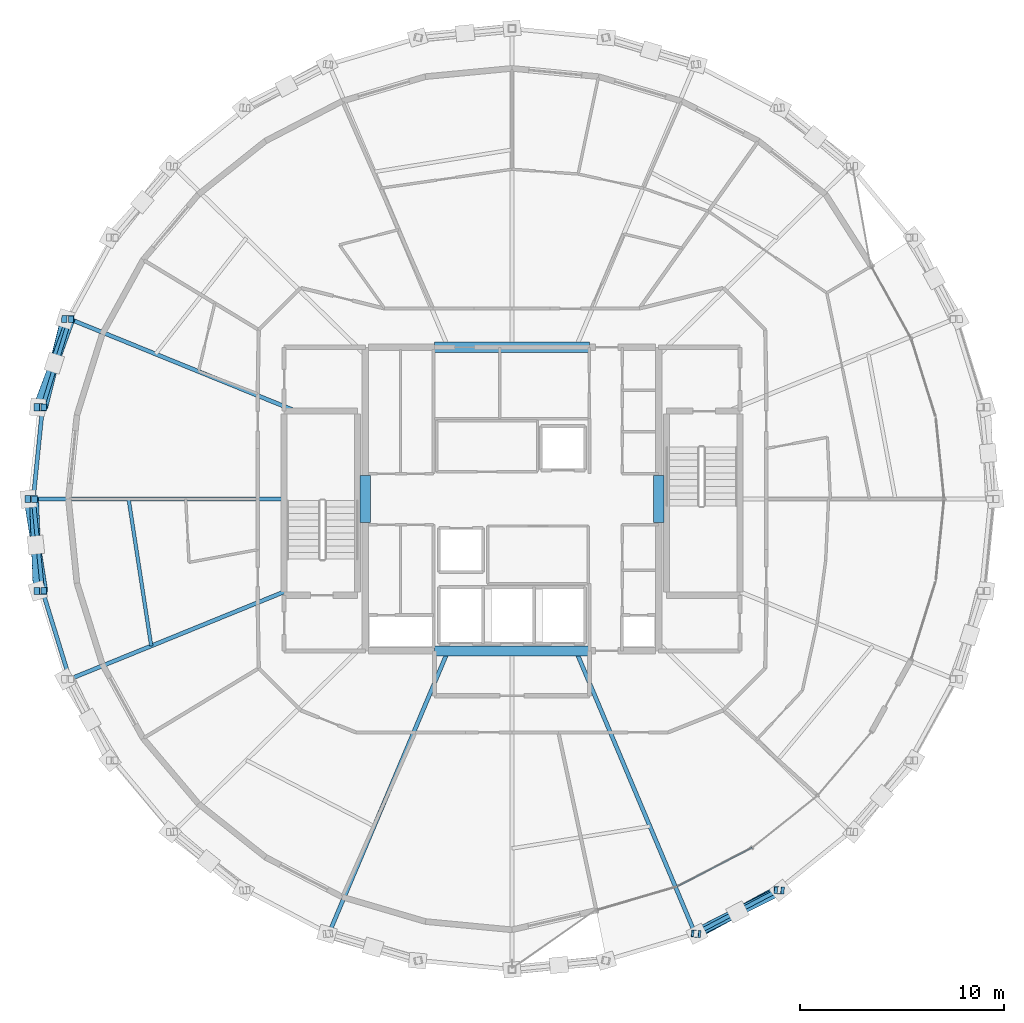
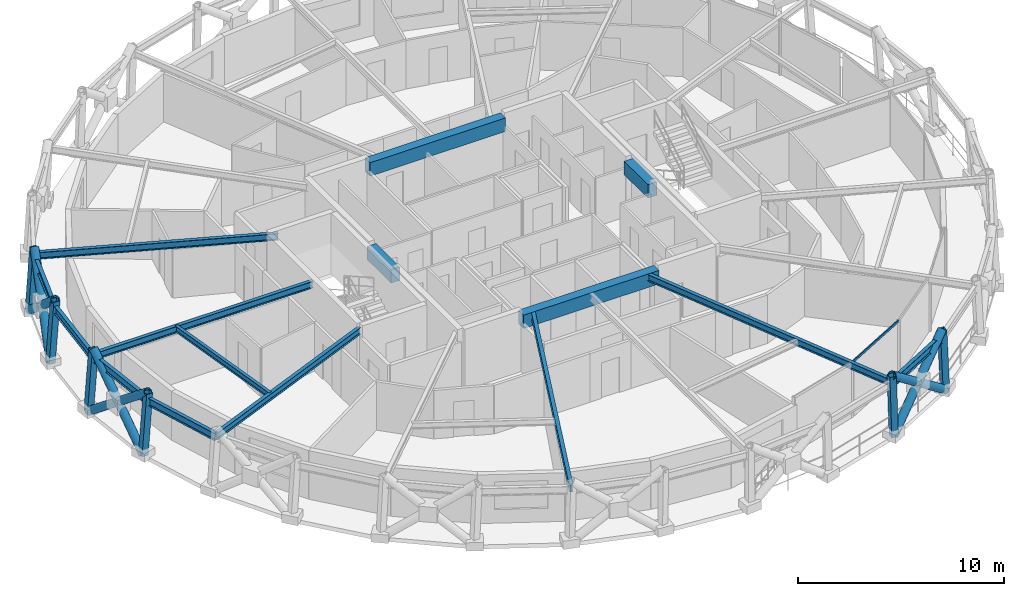
# One storey, part 3 of 16: 16 members, 15 beams, 1 element without a shape of its own.
"""IFC4 building model written with IfcOpenShell, lengths in metres."""

from ifc_helpers import new_model, si_unit, direction, frame, origin, origin_2d, place, context, subcontext, project, spatial, rectangle, hollow_rectangle, hollow_circle, i_section, extrude, material, layer, layer_set, material_profile, profile_set, type_object, element, aggregate, save


model = new_model("IFC4")

# Units and contexts
model_context = context("Model", 3, precision=1e-05, world=origin(), true_north=direction((0.0, 1.0)))
body_context = subcontext(model_context, "Body", "Model", "MODEL_VIEW")
ifc_project = project(units=[si_unit("LENGTHUNIT", "METRE"), si_unit("AREAUNIT", "SQUARE_METRE"), si_unit("VOLUMEUNIT", "CUBIC_METRE"), si_unit("PLANEANGLEUNIT", "RADIAN"), si_unit("MASSUNIT", "GRAM", prefix="KILO")], contexts=[model_context])

# Site, building, storey
site_placement = place(None, origin())
site = spatial("IfcSite", under=ifc_project, at=site_placement, CompositionType="ELEMENT")
building_placement = place(site_placement, origin())
building = spatial("IfcBuilding", under=site, at=building_placement, Name="Veldorina Hangang Commons", CompositionType="ELEMENT")
storey_placement = place(building_placement, frame((0.0, 0.0, 240.0)))
storey = spatial("IfcBuildingStorey", under=building, at=storey_placement, Name="L62", CompositionType="ELEMENT", Elevation=240.0)

# Beams
ifc_material_1 = material(Name="Concrete C50/60", Category="concrete")
ifc_material_profile_1 = material_profile(ifc_material_1, rectangle(XDim=0.5, YDim=0.800048828125, at=origin_2d()), Name="RC-CB-500x800")
ifc_profile_set_1 = profile_set([ifc_material_profile_1], Name="Concrete C50/60")
beam_type_1 = type_object("IfcBeamType", Name="BM-CB800", PredefinedType="LINTEL", material=ifc_profile_set_1)
for number, where, z_axis, x_axis, name in (
    (1, (24.800048828125, 22.85009765625, 2.9599609375), (0.0, 1.0, 0.0), (-1.0, 0.0, 0.0), "L62 W core coupling lintel beam"),
    (2, (39.199951171875, 22.85009765625, 2.9599609375), (0.0, 1.0, 0.0), (-1.0, 0.0, 0.0), "L62 E core coupling lintel beam"),
):
    element("IfcBeam", number, at=place(storey_placement, frame(where, z_axis=z_axis, x_axis=x_axis)), inside=storey, type_object=beam_type_1, Name=name, PredefinedType="LINTEL", context=body_context, shape_type="SweptSolid", body=[
        extrude(rectangle(XDim=0.5, YDim=0.800048828125, at=origin_2d()), origin(), (0.0, 0.0, 1.0), 2.2998046875),
    ])
for number, where, z_axis, x_axis, name in (
    (3, (28.199951171875, 16.550048828125, 2.9599609375), (1.0, 0.0, 0.0), (0.0, 1.0, 0.0), "L62 south core coupling beam"),
    (4, (28.199951171875, 31.449951171875, 2.9599609375), (1.0, 0.0, 0.0), (0.0, 1.0, 0.0), "L62 north core coupling beam"),
):
    element("IfcBeam", number, at=place(storey_placement, frame(where, z_axis=z_axis, x_axis=x_axis)), inside=storey, type_object=beam_type_1, Name=name, PredefinedType="LINTEL", context=body_context, shape_type="SweptSolid", body=[
        extrude(rectangle(XDim=0.5, YDim=0.800048828125, at=origin_2d()), origin(), (0.0, 0.0, 1.0), 7.60009765625),
    ])
ifc_material_2 = material(Name="Steel SM355-TMC", Category="steel")
ifc_material_profile_2 = material_profile(ifc_material_2, i_section(OverallWidth=0.199951171875, OverallDepth=0.39990234375, WebThickness=0.008056640625, FlangeThickness=0.012939453125, FilletRadius=0.012939453125, at=origin_2d()), Name="H-400x200x8x13")
ifc_profile_set_2 = profile_set([ifc_material_profile_2], Name="Steel SM355-TMC")
beam_type_2 = type_object("IfcBeamType", Name="BM-FG400", PredefinedType="BEAM", material=ifc_profile_set_2)
beam_1_placement = place(storey_placement, frame((21.3876953125, 28.320068359375, 3.159912109375), z_axis=(-0.926207911003, 0.377013137167, 0.0), x_axis=(-0.377013137167, -0.926207911003, 0.0)))
element("IfcBeam", 5, at=beam_1_placement, inside=storey, type_object=beam_type_2, Name="L62 radial floor girder 08", PredefinedType="BEAM", context=body_context, shape_type="SweptSolid", body=[
    extrude(i_section(OverallWidth=0.199951171875, OverallDepth=0.39990234375, WebThickness=0.008056640625, FlangeThickness=0.012939453125, FilletRadius=0.012939453125, at=origin_2d()), origin(), (0.0, 0.0, 1.0), 11.971435546875),
])
beam_2_placement = place(storey_placement, frame((20.820068359375, 24.0, 3.159912109375), z_axis=(-1.0, 0.0, 0.0), x_axis=(0.0, -1.0, 0.0)))
element("IfcBeam", 6, at=beam_2_placement, inside=storey, type_object=beam_type_2, Name="L62 radial floor girder 09", PredefinedType="BEAM", context=body_context, shape_type="SweptSolid", body=[
    extrude(i_section(OverallWidth=0.199951171875, OverallDepth=0.39990234375, WebThickness=0.008056640625, FlangeThickness=0.012939453125, FilletRadius=0.012939453125, at=origin_2d()), origin(), (0.0, 0.0, 1.0), 12.308349609375),
])
beam_3_placement = place(storey_placement, frame((20.820068359375, 19.448974609375, 3.159912109375), z_axis=(-0.926204970576, -0.37702036083, 0.0), x_axis=(0.37702036083, -0.926204970576, 0.0)))
element("IfcBeam", 7, at=beam_3_placement, inside=storey, type_object=beam_type_2, Name="L62 radial floor girder 10", PredefinedType="BEAM", context=body_context, shape_type="SweptSolid", body=[
    extrude(i_section(OverallWidth=0.199951171875, OverallDepth=0.39990234375, WebThickness=0.008056640625, FlangeThickness=0.012939453125, FilletRadius=0.012939453125, at=origin_2d()), origin(), (0.0, 0.0, 1.0), 11.358642578125),
])
for number, where, z_axis, x_axis, name in (
    (8, (28.860107421875, 16.550048828125, 3.159912109375), (-0.38839618575, -0.921492486619, 0.0), (0.921492486619, -0.38839618575, 0.0), "L62 radial floor girder 12"),
    (9, (35.139892578125, 16.550048828125, 3.159912109375), (0.38839618575, -0.921492486619, 0.0), (0.921492486619, 0.38839618575, 0.0), "L62 radial floor girder 14"),
):
    element("IfcBeam", number, at=place(storey_placement, frame(where, z_axis=z_axis, x_axis=x_axis)), inside=storey, type_object=beam_type_2, Name=name, PredefinedType="BEAM", context=body_context, shape_type="SweptSolid", body=[
        extrude(i_section(OverallWidth=0.199951171875, OverallDepth=0.39990234375, WebThickness=0.008056640625, FlangeThickness=0.012939453125, FilletRadius=0.012939453125, at=origin_2d()), origin(), (0.0, 0.0, 1.0), 15.058349609375),
    ])
ifc_material_profile_3 = material_profile(ifc_material_2, i_section(OverallWidth=0.175048828125, OverallDepth=0.35009765625, WebThickness=0.007080078125, FlangeThickness=0.010986328125, FilletRadius=0.012939453125, at=origin_2d()), Name="H-350x175x7x11")
ifc_profile_set_3 = profile_set([ifc_material_profile_3], Name="Steel SM355-TMC")
beam_type_3 = type_object("IfcBeamType", Name="BM-JST350", PredefinedType="JOIST", material=ifc_profile_set_3)
beam_4_placement = place(storey_placement, frame((13.188720703125, 24.0, 3.18505859375), z_axis=(0.152054668051, -0.988372084755, 0.0), x_axis=(0.988372084755, 0.152054668051, 0.0)))
element("IfcBeam", 10, at=beam_4_placement, inside=storey, type_object=beam_type_3, Name="L62 secondary floor joist 09", PredefinedType="JOIST", context=body_context, shape_type="SweptSolid", body=[
    extrude(i_section(OverallWidth=0.175048828125, OverallDepth=0.35009765625, WebThickness=0.007080078125, FlangeThickness=0.010986328125, FilletRadius=0.012939453125, at=origin_2d()), origin(), (0.0, 0.0, 1.0), 7.291015625),
])
ifc_material_profile_4 = material_profile(ifc_material_2, i_section(OverallWidth=0.199951171875, OverallDepth=0.449951171875, WebThickness=0.009033203125, FlangeThickness=0.013916015625, FilletRadius=0.01611328125, at=origin_2d()), Name="H-450x200x9x14")
ifc_profile_set_4 = profile_set([ifc_material_profile_4], Name="Steel SM355-TMC")
beam_type_4 = type_object("IfcBeamType", Name="BM-RB450", PredefinedType="BEAM", material=ifc_profile_set_4)
beam_5_placement = place(storey_placement, frame((10.299560546875, 32.83349609375, 3.135009765625), z_axis=(-0.294960232046, -0.955509529786, 0.0), x_axis=(0.955509529786, -0.294960232046, 0.0)))
element("IfcBeam", 11, at=beam_5_placement, inside=storey, type_object=beam_type_4, Name="L62 perimeter hoop ring beam 14", PredefinedType="BEAM", context=body_context, shape_type="SweptSolid", body=[
    extrude(i_section(OverallWidth=0.199951171875, OverallDepth=0.449951171875, WebThickness=0.009033203125, FlangeThickness=0.013916015625, FilletRadius=0.01611328125, at=origin_2d()), origin(), (0.0, 0.0, 1.0), 4.53173828125),
])
for number, where, z_axis, x_axis, name in (
    (12, (8.962890625, 28.50341796875, 3.135009765625), (-0.099685305186, -0.995019014859, 0.0), (0.995019014859, -0.099685305186, 0.0), "L62 perimeter hoop ring beam 15"),
    (13, (8.51171875, 24.0, 3.135009765625), (0.099685305186, -0.995019014859, 0.0), (0.995019014859, 0.099685305186, 0.0), "L62 perimeter hoop ring beam 16"),
):
    element("IfcBeam", number, at=place(storey_placement, frame(where, z_axis=z_axis, x_axis=x_axis)), inside=storey, type_object=beam_type_4, Name=name, PredefinedType="BEAM", context=body_context, shape_type="SweptSolid", body=[
        extrude(i_section(OverallWidth=0.199951171875, OverallDepth=0.449951171875, WebThickness=0.009033203125, FlangeThickness=0.013916015625, FilletRadius=0.01611328125, at=origin_2d()), origin(), (0.0, 0.0, 1.0), 4.52587890625),
    ])
beam_6_placement = place(storey_placement, frame((8.962890625, 19.49658203125, 3.135009765625), z_axis=(0.294960232046, -0.955509529786, 0.0), x_axis=(0.955509529786, 0.294960232046, 0.0)))
element("IfcBeam", 14, at=beam_6_placement, inside=storey, type_object=beam_type_4, Name="L62 perimeter hoop ring beam 17", PredefinedType="BEAM", context=body_context, shape_type="SweptSolid", body=[
    extrude(i_section(OverallWidth=0.199951171875, OverallDepth=0.449951171875, WebThickness=0.009033203125, FlangeThickness=0.013916015625, FilletRadius=0.01611328125, at=origin_2d()), origin(), (0.0, 0.0, 1.0), 4.53173828125),
])
beam_7_placement = place(storey_placement, frame((40.988525390625, 2.673828125, 3.135009765625), z_axis=(0.885295472957, 0.465028951315, 0.0), x_axis=(-0.465028951315, 0.885295472957, 0.0)))
element("IfcBeam", 15, at=beam_7_placement, inside=storey, type_object=beam_type_4, Name="L62 perimeter hoop ring beam 26", PredefinedType="BEAM", context=body_context, shape_type="SweptSolid", body=[
    extrude(i_section(OverallWidth=0.199951171875, OverallDepth=0.449951171875, WebThickness=0.009033203125, FlangeThickness=0.013916015625, FilletRadius=0.01611328125, at=origin_2d()), origin(), (0.0, 0.0, 1.0), 4.5869140625),
])

# Curtain wall, member
ifc_material_3 = material(Name="Glass Low-E Selective", Category="glass")
ifc_layer = layer(ifc_material_3, 0.179931640625)
ifc_layer_set = layer_set([ifc_layer], Name="Glass Low-E Selective")
curtain_wall_type = type_object("IfcCurtainWallType", Name="CW-SYS-Z3", PredefinedType="NOTDEFINED", material=ifc_layer_set)
curtain_wall_placement = place(storey_placement, origin())
curtain_wall = element("IfcCurtainWall", 16, at=curtain_wall_placement, inside=storey, type_object=curtain_wall_type, Name="L62 unitised curtain wall CW-L62-R1", PredefinedType="NOTDEFINED")
ifc_material_4 = material(Name="Aluminium Anodized AA6063-T6", Category="aluminium")
ifc_material_profile_5 = material_profile(ifc_material_4, hollow_rectangle(XDim=0.06005859375, YDim=0.139892578125, WallThickness=0.00341796875, at=origin_2d()), Name="ALU-RHS-140x60x3.5")
ifc_profile_set_5 = profile_set([ifc_material_profile_5], Name="Aluminium Anodized AA6063-T6")
member_type_1 = type_object("IfcMemberType", Name="CW-TRN-140", PredefinedType="USERDEFINED", material=ifc_profile_set_5)
member_1_placement = place(storey_placement, frame((40.114990234375, 4.9921875, 3.280029296875), z_axis=(0.887732161018, 0.460360304864, 0.0), x_axis=(-0.460360304864, 0.887732161018, 0.0)))
member_1 = element("IfcMember", 17, at=member_1_placement, type_object=member_type_1, Name="CW-L62-R1 facet 2 transom 1", ObjectType="TRANSOM", PredefinedType="USERDEFINED", context=body_context, shape_type="SweptSolid", body=[
    extrude(hollow_rectangle(XDim=0.06005859375, YDim=0.139892578125, WallThickness=0.00341796875, at=origin_2d()), origin(), (0.0, 0.0, 1.0), 4.129638671875),
])
aggregate(curtain_wall, [member_1])

# Members
ifc_material_profile_6 = material_profile(ifc_material_2, hollow_circle(Radius=0.22509765625, WallThickness=0.02197265625, at=origin_2d()), Name="CHS-450x22")
ifc_profile_set_6 = profile_set([ifc_material_profile_6], Name="Steel SM355-TMC")
member_type_2 = type_object("IfcMemberType", Name="DG-CHS450", PredefinedType="BRACE", material=ifc_profile_set_6)
member_2_placement = place(storey_placement, frame((10.08056640625, 32.837646484375, 0.0), z_axis=(-0.188787742565, -0.755448809836, 0.62742034074), x_axis=(0.970164995532, -0.242445625749, 0.0)))
element("IfcMember", 18, at=member_2_placement, inside=storey, type_object=member_type_2, Name="L62 continuous perimeter diagrid brace 14", PredefinedType="BRACE", context=body_context, shape_type="SweptSolid", body=[
    extrude(hollow_circle(Radius=0.22509765625, WallThickness=0.02197265625, at=origin_2d()), origin(), (0.0, 0.0, 1.0), 5.738037109375),
])
member_3_placement = place(storey_placement, frame((8.73046875, 28.50537109375, 0.0), z_axis=(0.275921196608, 0.738651880104, 0.615029180838), x_axis=(-0.936775912567, 0.349929835301, 0.0)))
element("IfcMember", 19, at=member_3_placement, inside=storey, type_object=member_type_2, Name="L62 split perimeter diagrid lower brace 15", PredefinedType="BRACE", context=body_context, shape_type="SweptSolid", body=[
    extrude(hollow_circle(Radius=0.22509765625, WallThickness=0.02197265625, at=origin_2d()), origin(), (0.0, 0.0, 1.0), 2.9287109375),
])
member_4_placement = place(storey_placement, frame((9.53857421875, 30.668701171875, 1.80126953125), z_axis=(0.271363245563, 0.740195437513, 0.615201351788), x_axis=(-0.938893430469, 0.344207969433, 0.0)))
element("IfcMember", 20, at=member_4_placement, inside=storey, type_object=member_type_2, Name="L62 split perimeter diagrid upper brace 15", PredefinedType="BRACE", context=body_context, shape_type="SweptSolid", body=[
    extrude(hollow_circle(Radius=0.22509765625, WallThickness=0.02197265625, at=origin_2d()), origin(), (0.0, 0.0, 1.0), 2.924072265625),
])
member_5_placement = place(storey_placement, frame((8.274658203125, 24.0, 0.0), z_axis=(0.124375539081, -0.774994068515, 0.61960868219), x_axis=(0.987365691652, 0.158458167821, 0.0)))
element("IfcMember", 21, at=member_5_placement, inside=storey, type_object=member_type_2, Name="L62 continuous perimeter diagrid brace 16", PredefinedType="BRACE", context=body_context, shape_type="SweptSolid", body=[
    extrude(hollow_circle(Radius=0.22509765625, WallThickness=0.02197265625, at=origin_2d()), origin(), (0.0, 0.0, 1.0), 5.810302734375),
])
member_6_placement = place(storey_placement, frame((8.73046875, 19.49462890625, 0.0), z_axis=(-0.032740831438, 0.780788458248, 0.623937033219), x_axis=(-0.999121967963, -0.041896218615, 0.0)))
element("IfcMember", 22, at=member_6_placement, inside=storey, type_object=member_type_2, Name="L62 split perimeter diagrid lower brace 17", PredefinedType="BRACE", context=body_context, shape_type="SweptSolid", body=[
    extrude(hollow_circle(Radius=0.22509765625, WallThickness=0.02197265625, at=origin_2d()), origin(), (0.0, 0.0, 1.0), 2.8857421875),
])
member_7_placement = place(storey_placement, frame((8.635986328125, 21.747802734375, 1.800537109375), z_axis=(-0.030896112696, 0.780867505807, 0.623932182689), x_axis=(-0.999218168016, -0.03953546139, 0.0)))
element("IfcMember", 23, at=member_7_placement, inside=storey, type_object=member_type_2, Name="L62 split perimeter diagrid upper brace 17", PredefinedType="BRACE", context=body_context, shape_type="SweptSolid", body=[
    extrude(hollow_circle(Radius=0.22509765625, WallThickness=0.02197265625, at=origin_2d()), origin(), (0.0, 0.0, 1.0), 2.88427734375),
])
member_8_placement = place(storey_placement, frame((41.079345703125, 2.6640625, 0.0), z_axis=(0.685984980166, 0.372308268699, 0.625148910297), x_axis=(-0.477009152846, 0.878898326373, 0.0)))
element("IfcMember", 24, at=member_8_placement, inside=storey, type_object=member_type_2, Name="L62 continuous perimeter diagrid brace 26", PredefinedType="BRACE", context=body_context, shape_type="SweptSolid", body=[
    extrude(hollow_circle(Radius=0.22509765625, WallThickness=0.02197265625, at=origin_2d()), origin(), (0.0, 0.0, 1.0), 5.7587890625),
])
member_9_placement = place(storey_placement, frame((45.18115234375, 4.798095703125, 0.0), z_axis=(-0.710917215308, -0.354925809095, 0.607144449877), x_axis=(0.446677089928, -0.894695242713, 0.0)))
element("IfcMember", 25, at=member_9_placement, inside=storey, type_object=member_type_2, Name="L62 split perimeter diagrid lower brace 27", PredefinedType="BRACE", context=body_context, shape_type="SweptSolid", body=[
    extrude(hollow_circle(Radius=0.22509765625, WallThickness=0.02197265625, at=origin_2d()), origin(), (0.0, 0.0, 1.0), 2.978515625),
])
member_10_placement = place(storey_placement, frame((43.063720703125, 3.740966796875, 1.808349609375), z_axis=(-0.707769232071, -0.361123635066, 0.607167550458), x_axis=(0.454487201878, -0.890753267369, 0.0)))
element("IfcMember", 26, at=member_10_placement, inside=storey, type_object=member_type_2, Name="L62 split perimeter diagrid upper brace 27", PredefinedType="BRACE", context=body_context, shape_type="SweptSolid", body=[
    extrude(hollow_circle(Radius=0.22509765625, WallThickness=0.02197265625, at=origin_2d()), origin(), (0.0, 0.0, 1.0), 2.950927734375),
])
ifc_material_profile_7 = material_profile(ifc_material_2, hollow_rectangle(XDim=0.35009765625, YDim=0.35009765625, WallThickness=0.01611328125, at=origin_2d()), Name="SHS-350x350x16")
ifc_profile_set_7 = profile_set([ifc_material_profile_7], Name="Steel SM355-TMC")
member_type_3 = type_object("IfcMemberType", Name="STR-SHS350", PredefinedType="STRUT", material=ifc_profile_set_7)
member_11_placement = place(storey_placement, frame((10.08056640625, 32.837646484375, 0.0), z_axis=(0.069679618288, -0.001285352182, 0.997568593464), x_axis=(0.018443464264, 0.999829904847, 0.0)))
element("IfcMember", 27, at=member_11_placement, inside=storey, type_object=member_type_3, Name="L62 perimeter ring node post 14", PredefinedType="STRUT", context=body_context, shape_type="SweptSolid", body=[
    extrude(hollow_rectangle(XDim=0.35009765625, YDim=0.35009765625, WallThickness=0.01611328125, at=origin_2d()), origin(), (0.0, 0.0, 1.0), 3.60888671875),
])
member_12_placement = place(storey_placement, frame((8.73046875, 28.50537109375, 0.0), z_axis=(0.073918999934, -0.000676294601, 0.997264019242), x_axis=(0.009148747935, 0.99995814933, 0.0)))
element("IfcMember", 28, at=member_12_placement, inside=storey, type_object=member_type_3, Name="L62 perimeter ring node post 15", PredefinedType="STRUT", context=body_context, shape_type="SweptSolid", body=[
    extrude(hollow_rectangle(XDim=0.35009765625, YDim=0.35009765625, WallThickness=0.01611328125, at=origin_2d()), origin(), (0.0, 0.0, 1.0), 3.60986328125),
])
member_13_placement = place(storey_placement, frame((8.274658203125, 24.0, 0.0), z_axis=(0.075398489964, 0.0, 0.997153482525), x_axis=(0.0, 1.0, 0.0)))
element("IfcMember", 29, at=member_13_placement, inside=storey, type_object=member_type_3, Name="L62 perimeter ring node post 16", PredefinedType="STRUT", context=body_context, shape_type="SweptSolid", body=[
    extrude(hollow_rectangle(XDim=0.35009765625, YDim=0.35009765625, WallThickness=0.01611328125, at=origin_2d()), origin(), (0.0, 0.0, 1.0), 3.6103515625),
])
member_14_placement = place(storey_placement, frame((8.73046875, 19.49462890625, 0.0), z_axis=(0.073918999934, 0.000676294601, 0.997264019242), x_axis=(-0.009148747935, 0.99995814933, 0.0)))
element("IfcMember", 30, at=member_14_placement, inside=storey, type_object=member_type_3, Name="L62 perimeter ring node post 17", PredefinedType="STRUT", context=body_context, shape_type="SweptSolid", body=[
    extrude(hollow_rectangle(XDim=0.35009765625, YDim=0.35009765625, WallThickness=0.01611328125, at=origin_2d()), origin(), (0.0, 0.0, 1.0), 3.60986328125),
])
member_15_placement = place(storey_placement, frame((41.079345703125, 2.6640625, 0.0), z_axis=(-0.028944731861, 0.003118167835, 0.999576149939), x_axis=(-0.107108611239, -0.994247326071, 0.0)))
element("IfcMember", 31, at=member_15_placement, inside=storey, type_object=member_type_3, Name="L62 perimeter ring node post 26", PredefinedType="STRUT", context=body_context, shape_type="SweptSolid", body=[
    extrude(hollow_rectangle(XDim=0.35009765625, YDim=0.35009765625, WallThickness=0.01611328125, at=origin_2d()), origin(), (0.0, 0.0, 1.0), 3.6015625),
])
member_16_placement = place(storey_placement, frame((45.18115234375, 4.798095703125, 0.0), z_axis=(-0.042008023539, 0.002777949944, 0.999113411457), x_axis=(-0.065984912024, -0.997820620846, 0.0)))
element("IfcMember", 32, at=member_16_placement, inside=storey, type_object=member_type_3, Name="L62 perimeter ring node post 27", PredefinedType="STRUT", context=body_context, shape_type="SweptSolid", body=[
    extrude(hollow_rectangle(XDim=0.35009765625, YDim=0.35009765625, WallThickness=0.01611328125, at=origin_2d()), origin(), (0.0, 0.0, 1.0), 3.603271484375),
])

save(model, "model.ifc")
